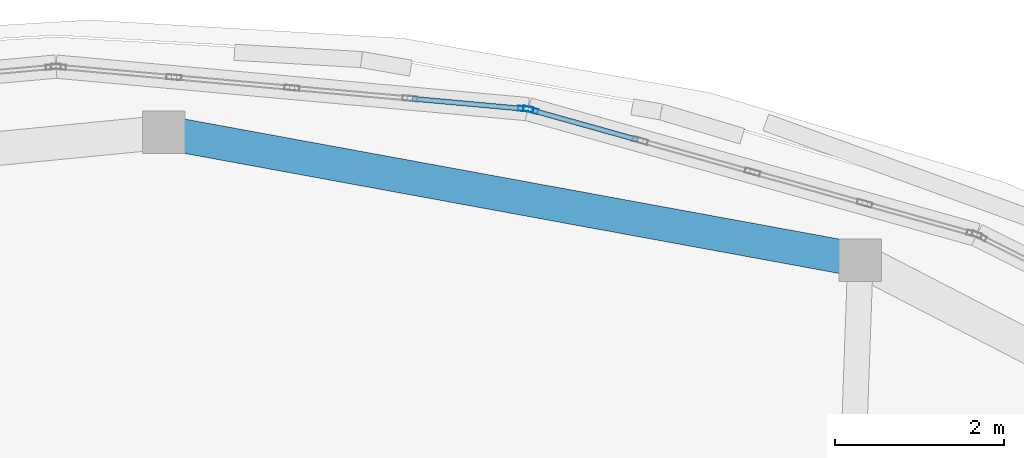
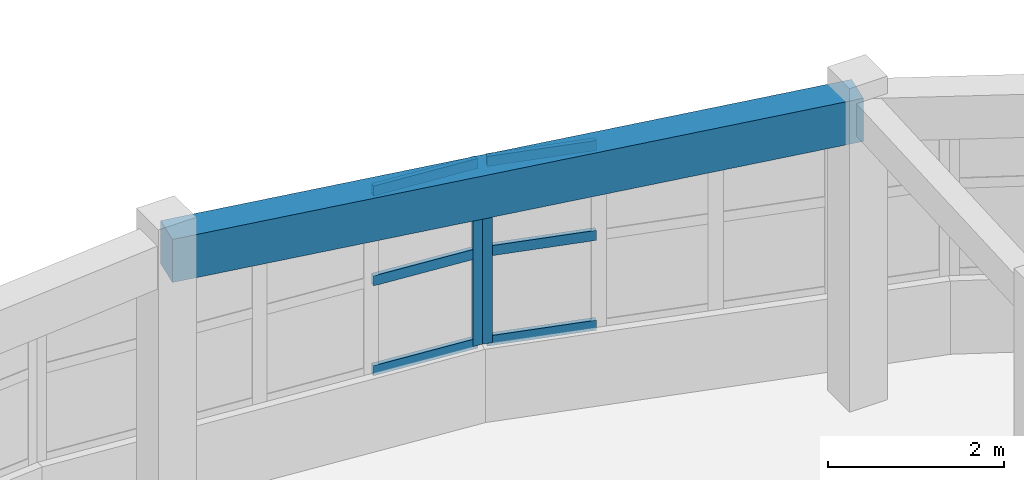
# One storey, part 25 of 38: 8 members, 1 beam, 2 elements without a shape of their own.
"""IFC4 building model written with IfcOpenShell, lengths in metres."""

from ifc_helpers import new_model, si_unit, direction, frame, origin, origin_2d, place, context, subcontext, project, spatial, rectangle, hollow_rectangle, extrude, material, layer, layer_set, material_profile, profile_set, type_object, element, aggregate, save


model = new_model("IFC4")

# Units and contexts
model_context = context("Model", 3, precision=1e-05, world=origin(), true_north=direction((0.0, 1.0)))
body_context = subcontext(model_context, "Body", "Model", "MODEL_VIEW")
ifc_project = project(units=[si_unit("LENGTHUNIT", "METRE"), si_unit("AREAUNIT", "SQUARE_METRE"), si_unit("VOLUMEUNIT", "CUBIC_METRE"), si_unit("PLANEANGLEUNIT", "RADIAN"), si_unit("MASSUNIT", "GRAM", prefix="KILO")], contexts=[model_context])

# Site, building, storey
site_placement = place(None, origin())
site = spatial("IfcSite", under=ifc_project, at=site_placement, CompositionType="ELEMENT")
building_placement = place(site_placement, origin())
building = spatial("IfcBuilding", under=site, at=building_placement, Name="Pelvatis Terrace Science Centre", CompositionType="ELEMENT")
storey_placement = place(building_placement, frame((0.0, 0.0, 24.300048828125)))
storey = spatial("IfcBuildingStorey", under=building, at=storey_placement, Name="L05", CompositionType="ELEMENT", Elevation=24.300048828125)

# Beam
ifc_material_1 = material(Name="Concrete C35/45", Category="concrete")
ifc_material_profile_1 = material_profile(ifc_material_1, rectangle(XDim=0.39990234375, YDim=0.60009765625, at=origin_2d()), Name="RC-BM 400x600")
ifc_profile_set_1 = profile_set([ifc_material_profile_1], Name="Concrete C35/45")
beam_type = type_object("IfcBeamType", Name="BM-RC-400x600", PredefinedType="BEAM", material=ifc_profile_set_1)
beam_placement = place(storey_placement, frame((118.69482421875, 102.9658203125, 3.9599609375), z_axis=(-0.983601549943, 0.180355179991, 0.0), x_axis=(-0.180355179991, -0.983601549943, 0.0)))
element("IfcBeam", 1, at=beam_placement, inside=storey, type_object=beam_type, Name="Beam BM-L05-3123", PredefinedType="BEAM", context=body_context, shape_type="SweptSolid", body=[
    extrude(rectangle(XDim=0.39990234375, YDim=0.60009765625, at=origin_2d()), origin(), (0.0, 0.0, 1.0), 8.3603515625),
])

# Curtain wall, member
ifc_material_2 = material(Name="Bronze-anodised aluminium and laminated glass", Category="aluminium")
ifc_layer = layer(ifc_material_2, 0.179931640625)
ifc_layer_set = layer_set([ifc_layer], Name="Bronze-anodised aluminium and laminated glass")
curtain_wall_type = type_object("IfcCurtainWallType", Name="CW-RIBBON-A", PredefinedType="NOTDEFINED", material=ifc_layer_set)
curtain_wall_1_placement = place(storey_placement, origin())
curtain_wall_1 = element("IfcCurtainWall", 2, at=curtain_wall_1_placement, inside=storey, type_object=curtain_wall_type, Name="Ribbon curtain wall CW-242 (L05)", PredefinedType="NOTDEFINED")
ifc_material_3 = material(Name="Bronze-anodised aluminium 6063-T6", Category="aluminium")
ifc_material_profile_2 = material_profile(ifc_material_3, hollow_rectangle(XDim=0.06005859375, YDim=0.179931640625, WallThickness=0.00390625, at=origin_2d()), Name="ALU-MUL 60x180")
ifc_profile_set_2 = profile_set([ifc_material_profile_2], Name="Bronze-anodised aluminium 6063-T6")
member_type_1 = type_object("IfcMemberType", Name="CWM-60x180", PredefinedType="MULLION", material=ifc_profile_set_2)
member_1_placement = place(storey_placement, frame((114.802978515625, 104.7392578125, 1.02001953125), z_axis=(0.0, 0.0, 1.0), x_axis=(-0.269694685663, -0.962945884526, 0.0)))
member_1 = element("IfcMember", 3, at=member_1_placement, type_object=member_type_1, Name="CW-242 mullion 5", PredefinedType="MULLION", context=body_context, shape_type="SweptSolid", body=[
    extrude(hollow_rectangle(XDim=0.06005859375, YDim=0.179931640625, WallThickness=0.00390625, at=origin_2d()), origin(), (0.0, 0.0, 1.0), 2.559814453125),
])

curtain_wall_2_placement = place(storey_placement, origin())
curtain_wall_2 = element("IfcCurtainWall", 4, at=curtain_wall_2_placement, inside=storey, type_object=curtain_wall_type, Name="Ribbon curtain wall CW-243 (L05)", PredefinedType="NOTDEFINED")
member_2_placement = place(storey_placement, frame((114.744140625, 104.75, 1.02001953125), z_axis=(0.0, 0.0, 1.0), x_axis=(-0.089820432814, -0.995957975945, 0.0)))
member_2 = element("IfcMember", 5, at=member_2_placement, type_object=member_type_1, Name="CW-243 mullion 1", PredefinedType="MULLION", context=body_context, shape_type="SweptSolid", body=[
    extrude(hollow_rectangle(XDim=0.06005859375, YDim=0.179931640625, WallThickness=0.00390625, at=origin_2d()), origin(), (0.0, 0.0, 1.0), 2.559814453125),
])

# Member
ifc_material_4 = material(Name="Bronze-anodised aluminium 6063-T6", Category="aluminium")
ifc_material_profile_3 = material_profile(ifc_material_4, hollow_rectangle(XDim=0.06005859375, YDim=0.139892578125, WallThickness=0.00390625, at=origin_2d()), Name="ALU-TRN 60x140")
ifc_profile_set_3 = profile_set([ifc_material_profile_3], Name="Bronze-anodised aluminium 6063-T6")
member_type_2 = type_object("IfcMemberType", Name="CWT-60x140", PredefinedType="USERDEFINED", material=ifc_profile_set_3)
member_3_placement = place(storey_placement, frame((116.06884765625, 104.384765625, 1.050048828125), z_axis=(-0.96295217629, 0.269672219885, 0.0), x_axis=(-0.269672219885, -0.96295217629, 0.0)))
member_3 = element("IfcMember", 6, at=member_3_placement, type_object=member_type_2, Name="CW-242 transom 4.1", ObjectType="TRANSOM", PredefinedType="USERDEFINED", context=body_context, shape_type="SweptSolid", body=[
    extrude(hollow_rectangle(XDim=0.06005859375, YDim=0.139892578125, WallThickness=0.00390625, at=origin_2d()), origin(), (0.0, 0.0, 1.0), 1.28466796875),
])

member_4_placement = place(storey_placement, frame((116.06884765625, 104.384765625, 2.300048828125), z_axis=(-0.96295217629, 0.269672219885, 0.0), x_axis=(-0.269672219885, -0.96295217629, 0.0)))
member_4 = element("IfcMember", 7, at=member_4_placement, type_object=member_type_2, Name="CW-242 transom 4.2", ObjectType="TRANSOM", PredefinedType="USERDEFINED", context=body_context, shape_type="SweptSolid", body=[
    extrude(hollow_rectangle(XDim=0.06005859375, YDim=0.139892578125, WallThickness=0.00390625, at=origin_2d()), origin(), (0.0, 0.0, 1.0), 1.28466796875),
])

member_5_placement = place(storey_placement, frame((116.06884765625, 104.384765625, 3.550048828125), z_axis=(-0.96295217629, 0.269672219885, 0.0), x_axis=(-0.269672219885, -0.96295217629, 0.0)))
member_5 = element("IfcMember", 8, at=member_5_placement, type_object=member_type_2, Name="CW-242 transom 4.3", ObjectType="TRANSOM", PredefinedType="USERDEFINED", context=body_context, shape_type="SweptSolid", body=[
    extrude(hollow_rectangle(XDim=0.06005859375, YDim=0.139892578125, WallThickness=0.00390625, at=origin_2d()), origin(), (0.0, 0.0, 1.0), 1.28466796875),
])

aggregate(curtain_wall_1, [member_1, member_3, member_4, member_5])

member_6_placement = place(storey_placement, frame((114.71435546875, 104.752685546875, 1.050048828125), z_axis=(-0.995952600841, 0.089880013781, 0.0), x_axis=(-0.089880013781, -0.995952600841, 0.0)))
member_6 = element("IfcMember", 9, at=member_6_placement, type_object=member_type_2, Name="CW-243 transom 1.1", ObjectType="TRANSOM", PredefinedType="USERDEFINED", context=body_context, shape_type="SweptSolid", body=[
    extrude(hollow_rectangle(XDim=0.06005859375, YDim=0.139892578125, WallThickness=0.00390625, at=origin_2d()), origin(), (0.0, 0.0, 1.0), 1.309326171875),
])

member_7_placement = place(storey_placement, frame((114.71435546875, 104.752685546875, 2.300048828125), z_axis=(-0.995952600841, 0.089880013781, 0.0), x_axis=(-0.089880013781, -0.995952600841, 0.0)))
member_7 = element("IfcMember", 10, at=member_7_placement, type_object=member_type_2, Name="CW-243 transom 1.2", ObjectType="TRANSOM", PredefinedType="USERDEFINED", context=body_context, shape_type="SweptSolid", body=[
    extrude(hollow_rectangle(XDim=0.06005859375, YDim=0.139892578125, WallThickness=0.00390625, at=origin_2d()), origin(), (0.0, 0.0, 1.0), 1.309326171875),
])

member_8_placement = place(storey_placement, frame((114.71435546875, 104.752685546875, 3.550048828125), z_axis=(-0.995952600841, 0.089880013781, 0.0), x_axis=(-0.089880013781, -0.995952600841, 0.0)))
member_8 = element("IfcMember", 11, at=member_8_placement, type_object=member_type_2, Name="CW-243 transom 1.3", ObjectType="TRANSOM", PredefinedType="USERDEFINED", context=body_context, shape_type="SweptSolid", body=[
    extrude(hollow_rectangle(XDim=0.06005859375, YDim=0.139892578125, WallThickness=0.00390625, at=origin_2d()), origin(), (0.0, 0.0, 1.0), 1.309326171875),
])

aggregate(curtain_wall_2, [member_2, member_6, member_7, member_8])

save(model, "model.ifc")
